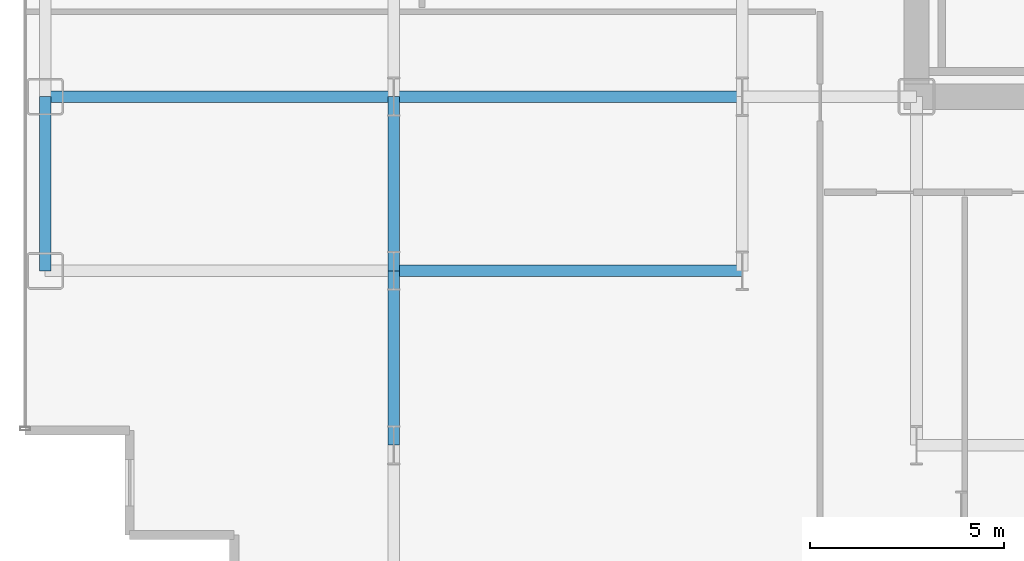
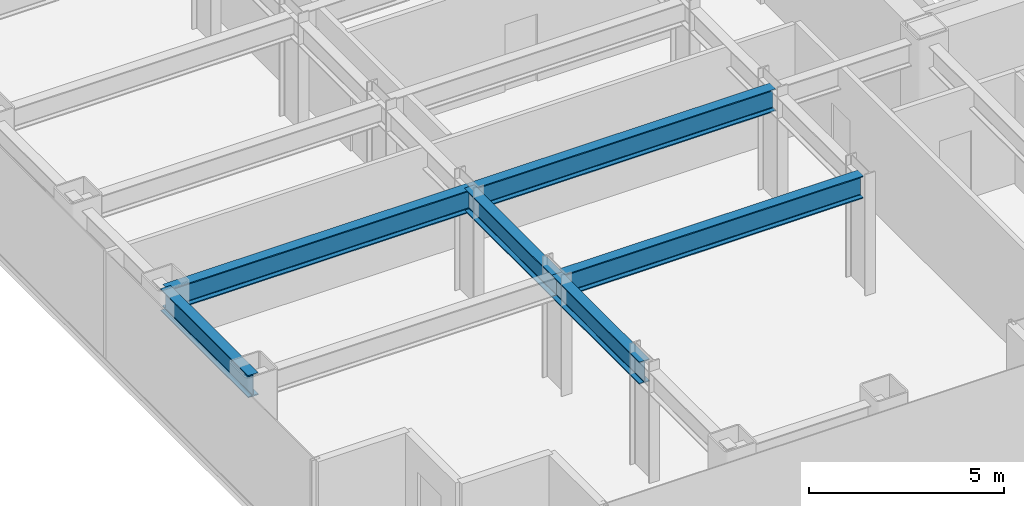
# One storey, part 3 of 26: 6 beams.
"""IFC4 building model written with IfcOpenShell, lengths in metres."""

from ifc_helpers import new_model, si_unit, direction, frame, origin, origin_2d, place, context, subcontext, project, spatial, i_section, extrude, source, transform, mapped, material, material_profile, profile_set, type_object, element, save


model = new_model("IFC4")

# Units and contexts
model_context = context("Model", 3, precision=1e-05, world=origin(), true_north=direction((0.0, 1.0)))
body_context = subcontext(model_context, "Body", "Model", "MODEL_VIEW")
ifc_project = project(units=[si_unit("LENGTHUNIT", "METRE"), si_unit("AREAUNIT", "SQUARE_METRE"), si_unit("VOLUMEUNIT", "CUBIC_METRE"), si_unit("PLANEANGLEUNIT", "RADIAN"), si_unit("MASSUNIT", "GRAM", prefix="KILO")], contexts=[model_context])

# Site, building, storey
site_placement = place(None, origin())
site = spatial("IfcSite", under=ifc_project, at=site_placement, CompositionType="ELEMENT")
building_placement = place(site_placement, origin())
building = spatial("IfcBuilding", under=site, at=building_placement, Name="Nefas-Gora Pilgrimage Tower", CompositionType="ELEMENT")
storey_placement = place(building_placement, frame((0.0, 0.0, 82.39990234375)))
storey = spatial("IfcBuildingStorey", under=building, at=storey_placement, Name="L19", CompositionType="ELEMENT", Elevation=82.39990234375)

# Beams
ifc_material = material(Name="Steel S355", Category="steel")
ifc_material_profile_1 = material_profile(ifc_material, i_section(OverallWidth=0.300048828125, OverallDepth=0.699951171875, WebThickness=0.01708984375, FlangeThickness=0.031982421875, FilletRadius=0.027099609375, at=origin_2d()), Name="HEB 700")
ifc_profile_set_1 = profile_set([ifc_material_profile_1], Name="Steel S355")
beam_type_1 = type_object("IfcBeamType", Name="BM-SPN-HEB600", PredefinedType="SPANDREL", material=ifc_profile_set_1)
shared_shape_1 = source(origin(), body_context, "Body", "SweptSolid", [
    extrude(i_section(OverallWidth=0.300048828125, OverallDepth=0.699951171875, WebThickness=0.01708984375, FlangeThickness=0.031982421875, FilletRadius=0.027099609375, at=origin_2d()), origin(), (0.0, 0.0, 1.0), 4.5),
])
beam_placement = place(storey_placement, frame((-33.75, -13.5, 3.150146484375), z_axis=(0.0, 1.0, 0.0), x_axis=(-1.0, 0.0, 0.0)))
element("IfcBeam", 1, at=beam_placement, inside=storey, type_object=beam_type_1, Name="L19 SP-01 beam", PredefinedType="SPANDREL", context=body_context, shape_type="MappedRepresentation", body=[
    mapped(shared_shape_1, transform((0.0, 0.0, 0.0), x_axis=(1.0, 0.0, 0.0), y_axis=(0.0, 1.0, 0.0), z_axis=(0.0, 0.0, 1.0), scale=1.0)),
])
ifc_material_profile_2 = material_profile(ifc_material, i_section(OverallWidth=0.300048828125, OverallDepth=0.699951171875, WebThickness=0.01708984375, FlangeThickness=0.031982421875, FilletRadius=0.027099609375, at=origin_2d()), Name="HEB 700")
ifc_profile_set_2 = profile_set([ifc_material_profile_2], Name="Steel S355")
beam_type_2 = type_object("IfcBeamType", Name="BM-GIR-HEB700", PredefinedType="BEAM", material=ifc_profile_set_2)
shared_shape_2 = source(origin(), body_context, "Body", "SweptSolid", [
    extrude(i_section(OverallWidth=0.300048828125, OverallDepth=0.699951171875, WebThickness=0.01708984375, FlangeThickness=0.031982421875, FilletRadius=0.027099609375, at=origin_2d()), origin(), (0.0, 0.0, 1.0), 9.0),
])
for number, where, z_axis, x_axis, name in (
    (2, (-33.75, -9.0, 3.150146484375), (1.0, 0.0, 0.0), (0.0, 1.0, 0.0), "L19 G-02 beam"),
    (3, (-24.75, -13.5, 3.150146484375), (1.0, 0.0, 0.0), (0.0, 1.0, 0.0), "L19 G-02 beam"),
    (4, (-24.75, -9.0, 3.150146484375), (1.0, 0.0, 0.0), (0.0, 1.0, 0.0), "L19 G-02 beam"),
):
    element("IfcBeam", number, at=place(storey_placement, frame(where, z_axis=z_axis, x_axis=x_axis)), inside=storey, type_object=beam_type_2, Name=name, PredefinedType="BEAM", context=body_context, shape_type="MappedRepresentation", body=[
        mapped(shared_shape_2, transform((0.0, 0.0, 0.0), x_axis=(1.0, 0.0, 0.0), y_axis=(0.0, 1.0, 0.0), z_axis=(0.0, 0.0, 1.0), scale=1.0)),
    ])
shared_shape_3 = source(origin(), body_context, "Body", "SweptSolid", [
    extrude(i_section(OverallWidth=0.300048828125, OverallDepth=0.699951171875, WebThickness=0.01708984375, FlangeThickness=0.031982421875, FilletRadius=0.027099609375, at=origin_2d()), origin(), (0.0, 0.0, 1.0), 4.5),
])
for number, where, z_axis, x_axis, name in (
    (5, (-24.75, -18.0, 3.150146484375), (0.0, 1.0, 0.0), (-1.0, 0.0, 0.0), "L19 G-02 beam"),
    (6, (-24.75, -13.5, 3.150146484375), (0.0, 1.0, 0.0), (-1.0, 0.0, 0.0), "L19 G-02 beam"),
):
    element("IfcBeam", number, at=place(storey_placement, frame(where, z_axis=z_axis, x_axis=x_axis)), inside=storey, type_object=beam_type_2, Name=name, PredefinedType="BEAM", context=body_context, shape_type="MappedRepresentation", body=[
        mapped(shared_shape_3, transform((0.0, 0.0, 0.0), x_axis=(1.0, 0.0, 0.0), y_axis=(0.0, 1.0, 0.0), z_axis=(0.0, 0.0, 1.0), scale=1.0)),
    ])

save(model, "model.ifc")
